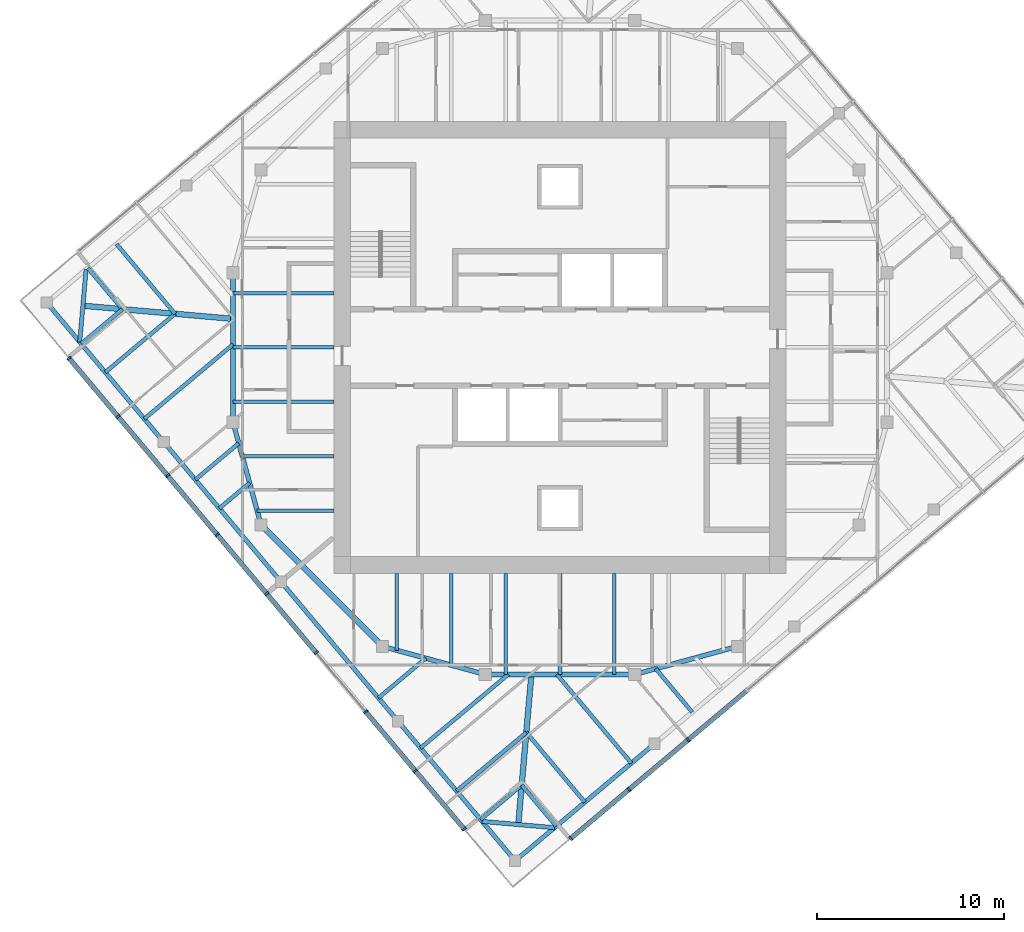
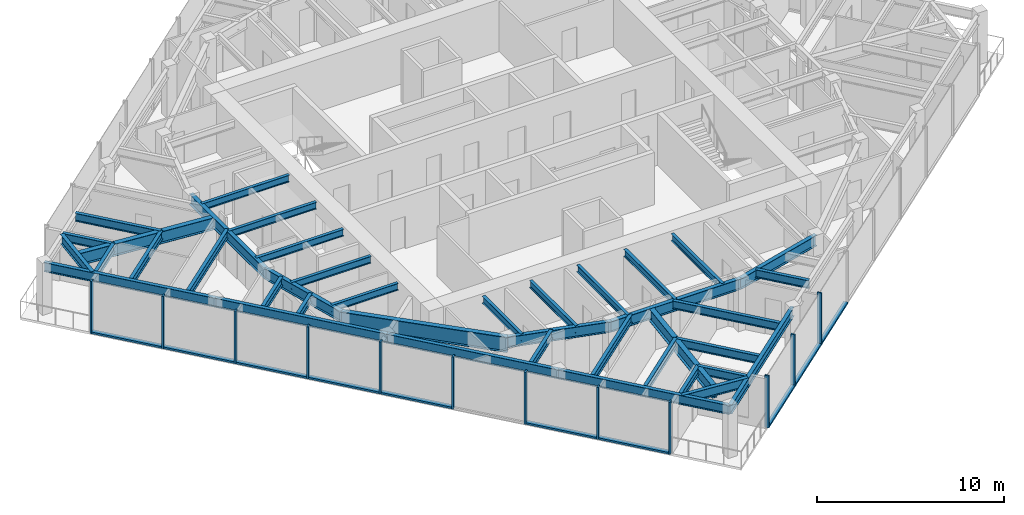
# One storey, part 2 of 12: 40 beams, 22 members, 2 elements without a shape of their own.
"""IFC4 building model written with IfcOpenShell, lengths in metres."""

from ifc_helpers import new_model, si_unit, direction, frame, origin, origin_2d, place, context, subcontext, project, spatial, rectangle, i_section, extrude, material, material_profile, profile_set, type_object, element, aggregate, save


model = new_model("IFC4")

# Units and contexts
model_context = context("Model", 3, precision=1e-05, world=origin(), true_north=direction((0.0, 1.0)))
body_context = subcontext(model_context, "Body", "Model", "MODEL_VIEW")
ifc_project = project(units=[si_unit("LENGTHUNIT", "METRE"), si_unit("AREAUNIT", "SQUARE_METRE"), si_unit("VOLUMEUNIT", "CUBIC_METRE"), si_unit("PLANEANGLEUNIT", "RADIAN"), si_unit("MASSUNIT", "GRAM", prefix="KILO")], contexts=[model_context])

# Site, building, storey
site_placement = place(None, origin())
site = spatial("IfcSite", under=ifc_project, at=site_placement, CompositionType="ELEMENT")
building_placement = place(site_placement, origin())
building = spatial("IfcBuilding", under=site, at=building_placement, Name="Torsade Residences", CompositionType="ELEMENT")
storey_placement = place(building_placement, frame((0.0, 0.0, 279.39990234375)))
storey = spatial("IfcBuildingStorey", under=building, at=storey_placement, Name="L77", CompositionType="ELEMENT", Elevation=279.39990234375)

# Beams
ifc_material_1 = material(Name="Steel grade 300", Category="steel")
ifc_material_profile_1 = material_profile(ifc_material_1, i_section(OverallWidth=0.300048828125, OverallDepth=0.800048828125, WebThickness=0.010009765625, FlangeThickness=0.02001953125, at=origin_2d()), Name="800WB146")
ifc_profile_set_1 = profile_set([ifc_material_profile_1], Name="Steel grade 300")
beam_type_1 = type_object("IfcBeamType", Name="CORNER GIRDER 800WB146", PredefinedType="BEAM", material=ifc_profile_set_1)
for number, where, z_axis, x_axis, name in (
    (1, (37.765869140625, 4.46484375, 2.85009765625), (0.087172957961, 0.996193191806, 0.0), (-0.996193191806, 0.087172957961, 0.0), "Corner girder 01 L78"),
    (2, (14.46484375, 32.234130859375, 2.85009765625), (0.996193191806, -0.087172957961, 0.0), (0.087172957961, 0.996193191806, 0.0), "Corner girder 13 L78"),
):
    element("IfcBeam", number, at=place(storey_placement, frame(where, z_axis=z_axis, x_axis=x_axis)), inside=storey, type_object=beam_type_1, Name=name, PredefinedType="BEAM", context=body_context, shape_type="SweptSolid", body=[
        extrude(i_section(OverallWidth=0.300048828125, OverallDepth=0.800048828125, WebThickness=0.010009765625, FlangeThickness=0.02001953125, at=origin_2d()), origin(), (0.0, 0.0, 1.0), 8.06591796875),
    ])
ifc_material_2 = material(Name="Steel grade 300", Category="steel")
ifc_material_profile_2 = material_profile(ifc_material_2, i_section(OverallWidth=0.22802734375, OverallDepth=0.60205078125, WebThickness=0.010498046875, FlangeThickness=0.014892578125, FilletRadius=0.013916015625, at=origin_2d()), Name="610UB101")
ifc_profile_set_2 = profile_set([ifc_material_profile_2], Name="Steel grade 300")
beam_type_2 = type_object("IfcBeamType", Name="CORNER TRIMMER 610UB101", PredefinedType="BEAM", material=ifc_profile_set_2)
for number, where, z_axis, x_axis, name in (
    (3, (39.703125, 4.29541015625, 2.94921875), (-0.996196646947, 0.087133464362, 0.0), (-0.087133464362, -0.996196646947, 0.0), "Corner trimmer 01 L78"),
    (4, (14.29541015625, 30.296875, 2.94921875), (0.087133464362, 0.996196646947, 0.0), (-0.996196646947, 0.087133464362, 0.0), "Corner trimmer 13 L78"),
):
    element("IfcBeam", number, at=place(storey_placement, frame(where, z_axis=z_axis, x_axis=x_axis)), inside=storey, type_object=beam_type_2, Name=name, PredefinedType="BEAM", context=body_context, shape_type="SweptSolid", body=[
        extrude(i_section(OverallWidth=0.22802734375, OverallDepth=0.60205078125, WebThickness=0.010498046875, FlangeThickness=0.014892578125, FilletRadius=0.013916015625, at=origin_2d()), origin(), (0.0, 0.0, 1.0), 3.88916015625),
    ])
ifc_material_3 = material(Name="Steel grade 300", Category="steel")
ifc_material_profile_3 = material_profile(ifc_material_3, i_section(OverallWidth=0.22802734375, OverallDepth=0.60205078125, WebThickness=0.010498046875, FlangeThickness=0.014892578125, FilletRadius=0.013916015625, at=origin_2d()), Name="610UB101")
ifc_profile_set_3 = profile_set([ifc_material_profile_3], Name="Steel grade 300")
beam_type_3 = type_object("IfcBeamType", Name="EDGE BEAM 610UB101", PredefinedType="SPANDREL", material=ifc_profile_set_3)
for number, where, z_axis, x_axis, name in (
    (5, (37.596435546875, 2.52783203125, 2.94921875), (0.766051532934, 0.642779160279, 0.0), (-0.642779160279, 0.766051532934, 0.0), "Edge beam 01 L78"),
    (6, (12.52783203125, 32.403564453125, 2.94921875), (0.642779160279, -0.766051532934, 0.0), (0.766051532934, 0.642779160279, 0.0), "Edge beam 13 L78"),
    (7, (18.794921875, 24.9345703125, 2.94921875), (0.642779160279, -0.766051532934, 0.0), (0.766051532934, 0.642779160279, 0.0), "Edge beam 14 L78"),
    (8, (25.06201171875, 17.465576171875, 2.94921875), (0.642806184154, -0.766028856906, 0.0), (0.766028856906, 0.642806184154, 0.0), "Edge beam 15 L78"),
    (9, (31.329345703125, 9.996826171875, 2.94921875), (0.642779160279, -0.766051532934, 0.0), (0.766051532934, 0.642779160279, 0.0), "Edge beam 16 L78"),
):
    element("IfcBeam", number, at=place(storey_placement, frame(where, z_axis=z_axis, x_axis=x_axis)), inside=storey, type_object=beam_type_3, Name=name, PredefinedType="SPANDREL", context=body_context, shape_type="SweptSolid", body=[
        extrude(i_section(OverallWidth=0.22802734375, OverallDepth=0.60205078125, WebThickness=0.010498046875, FlangeThickness=0.014892578125, FilletRadius=0.013916015625, at=origin_2d()), origin(), (0.0, 0.0, 1.0), 9.75),
    ])

# Curtain wall, members
ifc_material_4 = material(Name="Aluminium and glass", Category="aluminium")
curtain_wall_type = type_object("IfcCurtainWallType", Name="FRITTED GLASS CURTAIN WALL HIGH ZONE", PredefinedType="NOTDEFINED", material=ifc_material_4)
curtain_wall_1_placement = place(storey_placement, origin())
curtain_wall_1 = element("IfcCurtainWall", 10, at=curtain_wall_1_placement, inside=storey, type_object=curtain_wall_type, Name="Curtain wall L77 face 1", PredefinedType="NOTDEFINED")
ifc_material_5 = material(Name="Aluminium mullion", Category="aluminium")
ifc_material_profile_4 = material_profile(ifc_material_5, rectangle(XDim=0.25, YDim=0.10009765625, at=origin_2d()), Name="HIGH ZONE CURTAIN WALL MULLION 250x100")
ifc_profile_set_4 = profile_set([ifc_material_profile_4], Name="Aluminium mullion")
member_type_1 = type_object("IfcMemberType", Name="HIGH ZONE CURTAIN WALL MULLION 250x100", PredefinedType="MULLION", material=ifc_profile_set_4)
member_1_placement = place(storey_placement, frame((40.57568359375, 3.72216796875, 0.0), z_axis=(0.0, 0.0, 1.0), x_axis=(-0.642787616853, 0.766044437106, 0.0)))
member_1 = element("IfcMember", 11, at=member_1_placement, type_object=member_type_1, Name="Mullion 1", PredefinedType="MULLION", context=body_context, shape_type="SweptSolid", body=[
    extrude(rectangle(XDim=0.25, YDim=0.10009765625, at=origin_2d()), origin(), (0.0, 0.0, 1.0), 3.400146484375),
])
member_2_placement = place(storey_placement, frame((43.697265625, 6.341552734375, 0.0), z_axis=(0.0, 0.0, 1.0), x_axis=(-0.642787616853, 0.766044437106, 0.0)))
member_2 = element("IfcMember", 12, at=member_2_placement, type_object=member_type_1, Name="Mullion 2", PredefinedType="MULLION", context=body_context, shape_type="SweptSolid", body=[
    extrude(rectangle(XDim=0.25, YDim=0.10009765625, at=origin_2d()), origin(), (0.0, 0.0, 1.0), 3.400146484375),
])
member_3_placement = place(storey_placement, frame((46.857177734375, 8.9931640625, 0.0), z_axis=(0.0, 0.0, 1.0), x_axis=(-0.642787616853, 0.766044437106, 0.0)))
member_3 = element("IfcMember", 13, at=member_3_placement, type_object=member_type_1, Name="Mullion 3", PredefinedType="MULLION", context=body_context, shape_type="SweptSolid", body=[
    extrude(rectangle(XDim=0.25, YDim=0.10009765625, at=origin_2d()), origin(), (0.0, 0.0, 1.0), 3.400146484375),
])

curtain_wall_2_placement = place(storey_placement, origin())
curtain_wall_2 = element("IfcCurtainWall", 14, at=curtain_wall_2_placement, inside=storey, type_object=curtain_wall_type, Name="Curtain wall L77 face 10", PredefinedType="NOTDEFINED")
member_4_placement = place(storey_placement, frame((13.72216796875, 29.42431640625, 0.0), z_axis=(0.0, 0.0, 1.0), x_axis=(0.766044437106, 0.642787616853, 0.0)))
member_4 = element("IfcMember", 15, at=member_4_placement, type_object=member_type_1, Name="Mullion 1", PredefinedType="MULLION", context=body_context, shape_type="SweptSolid", body=[
    extrude(rectangle(XDim=0.25, YDim=0.10009765625, at=origin_2d()), origin(), (0.0, 0.0, 1.0), 3.400146484375),
])
member_5_placement = place(storey_placement, frame((16.341552734375, 26.302734375, 0.0), z_axis=(0.0, 0.0, 1.0), x_axis=(0.766044437106, 0.642787616853, 0.0)))
member_5 = element("IfcMember", 16, at=member_5_placement, type_object=member_type_1, Name="Mullion 2", PredefinedType="MULLION", context=body_context, shape_type="SweptSolid", body=[
    extrude(rectangle(XDim=0.25, YDim=0.10009765625, at=origin_2d()), origin(), (0.0, 0.0, 1.0), 3.400146484375),
])
member_6_placement = place(storey_placement, frame((18.9931640625, 23.142822265625, 0.0), z_axis=(0.0, 0.0, 1.0), x_axis=(0.766044437106, 0.642787616853, 0.0)))
member_6 = element("IfcMember", 17, at=member_6_placement, type_object=member_type_1, Name="Mullion 3", PredefinedType="MULLION", context=body_context, shape_type="SweptSolid", body=[
    extrude(rectangle(XDim=0.25, YDim=0.10009765625, at=origin_2d()), origin(), (0.0, 0.0, 1.0), 3.400146484375),
])
member_7_placement = place(storey_placement, frame((21.64453125, 19.982666015625, 0.0), z_axis=(0.0, 0.0, 1.0), x_axis=(0.766044437106, 0.642787616853, 0.0)))
member_7 = element("IfcMember", 18, at=member_7_placement, type_object=member_type_1, Name="Mullion 4", PredefinedType="MULLION", context=body_context, shape_type="SweptSolid", body=[
    extrude(rectangle(XDim=0.25, YDim=0.10009765625, at=origin_2d()), origin(), (0.0, 0.0, 1.0), 3.400146484375),
])
member_8_placement = place(storey_placement, frame((24.296142578125, 16.82275390625, 0.0), z_axis=(0.0, 0.0, 1.0), x_axis=(0.766044437106, 0.642787616853, 0.0)))
member_8 = element("IfcMember", 19, at=member_8_placement, type_object=member_type_1, Name="Mullion 5", PredefinedType="MULLION", context=body_context, shape_type="SweptSolid", body=[
    extrude(rectangle(XDim=0.25, YDim=0.10009765625, at=origin_2d()), origin(), (0.0, 0.0, 1.0), 3.400146484375),
])
member_9_placement = place(storey_placement, frame((26.947509765625, 13.662841796875, 0.0), z_axis=(0.0, 0.0, 1.0), x_axis=(0.766044437106, 0.642787616853, 0.0)))
member_9 = element("IfcMember", 20, at=member_9_placement, type_object=member_type_1, Name="Mullion 6", PredefinedType="MULLION", context=body_context, shape_type="SweptSolid", body=[
    extrude(rectangle(XDim=0.25, YDim=0.10009765625, at=origin_2d()), origin(), (0.0, 0.0, 1.0), 3.400146484375),
])
member_10_placement = place(storey_placement, frame((29.59912109375, 10.5029296875, 0.0), z_axis=(0.0, 0.0, 1.0), x_axis=(0.766044437106, 0.642787616853, 0.0)))
member_10 = element("IfcMember", 21, at=member_10_placement, type_object=member_type_1, Name="Mullion 7", PredefinedType="MULLION", context=body_context, shape_type="SweptSolid", body=[
    extrude(rectangle(XDim=0.25, YDim=0.10009765625, at=origin_2d()), origin(), (0.0, 0.0, 1.0), 3.400146484375),
])
member_11_placement = place(storey_placement, frame((32.25048828125, 7.343017578125, 0.0), z_axis=(0.0, 0.0, 1.0), x_axis=(0.766044437106, 0.642787616853, 0.0)))
member_11 = element("IfcMember", 22, at=member_11_placement, type_object=member_type_1, Name="Mullion 8", PredefinedType="MULLION", context=body_context, shape_type="SweptSolid", body=[
    extrude(rectangle(XDim=0.25, YDim=0.10009765625, at=origin_2d()), origin(), (0.0, 0.0, 1.0), 3.400146484375),
])
member_12_placement = place(storey_placement, frame((34.869873046875, 4.221435546875, 0.0), z_axis=(0.0, 0.0, 1.0), x_axis=(0.766044437106, 0.642787616853, 0.0)))
member_12 = element("IfcMember", 23, at=member_12_placement, type_object=member_type_1, Name="Mullion 9", PredefinedType="MULLION", context=body_context, shape_type="SweptSolid", body=[
    extrude(rectangle(XDim=0.25, YDim=0.10009765625, at=origin_2d()), origin(), (0.0, 0.0, 1.0), 3.400146484375),
])

# Member
ifc_material_6 = material(Name="Aluminium transom", Category="aluminium")
ifc_material_profile_5 = material_profile(ifc_material_6, rectangle(XDim=0.25, YDim=0.1201171875, at=origin_2d()), Name="HIGH ZONE CURTAIN WALL TRANSOM 250x120")
ifc_profile_set_5 = profile_set([ifc_material_profile_5], Name="Aluminium transom")
member_type_2 = type_object("IfcMemberType", Name="HIGH ZONE CURTAIN WALL TRANSOM 250x120", PredefinedType="USERDEFINED", material=ifc_profile_set_5)
member_13_placement = place(storey_placement, frame((40.614013671875, 3.75439453125, 0.06005859375), z_axis=(0.766021778456, 0.642814619413, 0.0), x_axis=(-0.642814619413, 0.766021778456, 0.0)))
member_13 = element("IfcMember", 24, at=member_13_placement, type_object=member_type_2, Name="Transom 1.1", ObjectType="TRANSOM", PredefinedType="USERDEFINED", context=body_context, shape_type="SweptSolid", body=[
    extrude(rectangle(XDim=0.25, YDim=0.1201171875, at=origin_2d()), origin(), (0.0, 0.0, 1.0), 3.97509765625),
])

member_14_placement = place(storey_placement, frame((43.735595703125, 6.373779296875, 0.06005859375), z_axis=(0.766069182322, 0.6427581255, 0.0), x_axis=(-0.6427581255, 0.766069182322, 0.0)))
member_14 = element("IfcMember", 25, at=member_14_placement, type_object=member_type_2, Name="Transom 2.1", ObjectType="TRANSOM", PredefinedType="USERDEFINED", context=body_context, shape_type="SweptSolid", body=[
    extrude(rectangle(XDim=0.25, YDim=0.1201171875, at=origin_2d()), origin(), (0.0, 0.0, 1.0), 4.025146484375),
])

member_15_placement = place(storey_placement, frame((46.8955078125, 9.025146484375, 0.06005859375), z_axis=(0.766039316443, 0.642793719372, 0.0), x_axis=(-0.642793719372, 0.766039316443, 0.0)))
member_15 = element("IfcMember", 26, at=member_15_placement, type_object=member_type_2, Name="Transom 3.1", ObjectType="TRANSOM", PredefinedType="USERDEFINED", context=body_context, shape_type="SweptSolid", body=[
    extrude(rectangle(XDim=0.25, YDim=0.1201171875, at=origin_2d()), origin(), (0.0, 0.0, 1.0), 4.025146484375),
])

aggregate(curtain_wall_1, [member_1, member_2, member_3, member_13, member_14, member_15])

member_16_placement = place(storey_placement, frame((13.75439453125, 29.385986328125, 0.06005859375), z_axis=(0.642814619413, -0.766021778456, 0.0), x_axis=(0.766021778456, 0.642814619413, 0.0)))
member_16 = element("IfcMember", 27, at=member_16_placement, type_object=member_type_2, Name="Transom 1.1", ObjectType="TRANSOM", PredefinedType="USERDEFINED", context=body_context, shape_type="SweptSolid", body=[
    extrude(rectangle(XDim=0.25, YDim=0.1201171875, at=origin_2d()), origin(), (0.0, 0.0, 1.0), 3.97509765625),
])

member_17_placement = place(storey_placement, frame((16.373779296875, 26.264404296875, 0.06005859375), z_axis=(0.6427581255, -0.766069182322, 0.0), x_axis=(0.766069182322, 0.6427581255, 0.0)))
member_17 = element("IfcMember", 28, at=member_17_placement, type_object=member_type_2, Name="Transom 2.1", ObjectType="TRANSOM", PredefinedType="USERDEFINED", context=body_context, shape_type="SweptSolid", body=[
    extrude(rectangle(XDim=0.25, YDim=0.1201171875, at=origin_2d()), origin(), (0.0, 0.0, 1.0), 4.025146484375),
])

member_18_placement = place(storey_placement, frame((19.025146484375, 23.1044921875, 0.06005859375), z_axis=(0.642793719372, -0.766039316443, 0.0), x_axis=(0.766039316443, 0.642793719372, 0.0)))
member_18 = element("IfcMember", 29, at=member_18_placement, type_object=member_type_2, Name="Transom 3.1", ObjectType="TRANSOM", PredefinedType="USERDEFINED", context=body_context, shape_type="SweptSolid", body=[
    extrude(rectangle(XDim=0.25, YDim=0.1201171875, at=origin_2d()), origin(), (0.0, 0.0, 1.0), 4.025146484375),
])

member_19_placement = place(storey_placement, frame((21.6767578125, 19.944580078125, 0.06005859375), z_axis=(0.6427581255, -0.766069182322, 0.0), x_axis=(0.766069182322, 0.6427581255, 0.0)))
member_19 = element("IfcMember", 30, at=member_19_placement, type_object=member_type_2, Name="Transom 4.1", ObjectType="TRANSOM", PredefinedType="USERDEFINED", context=body_context, shape_type="SweptSolid", body=[
    extrude(rectangle(XDim=0.25, YDim=0.1201171875, at=origin_2d()), origin(), (0.0, 0.0, 1.0), 4.025146484375),
])

member_20_placement = place(storey_placement, frame((24.328125, 16.78466796875, 0.06005859375), z_axis=(0.642793719372, -0.766039316443, 0.0), x_axis=(0.766039316443, 0.642793719372, 0.0)))
member_20 = element("IfcMember", 31, at=member_20_placement, type_object=member_type_2, Name="Transom 5.1", ObjectType="TRANSOM", PredefinedType="USERDEFINED", context=body_context, shape_type="SweptSolid", body=[
    extrude(rectangle(XDim=0.25, YDim=0.1201171875, at=origin_2d()), origin(), (0.0, 0.0, 1.0), 4.025146484375),
])

member_21_placement = place(storey_placement, frame((29.63134765625, 10.464599609375, 0.06005859375), z_axis=(0.642787992616, -0.766044121803, 0.0), x_axis=(0.766044121803, 0.642787992616, 0.0)))
member_21 = element("IfcMember", 32, at=member_21_placement, type_object=member_type_2, Name="Transom 7.1", ObjectType="TRANSOM", PredefinedType="USERDEFINED", context=body_context, shape_type="SweptSolid", body=[
    extrude(rectangle(XDim=0.25, YDim=0.1201171875, at=origin_2d()), origin(), (0.0, 0.0, 1.0), 4.02490234375),
])

member_22_placement = place(storey_placement, frame((32.28271484375, 7.3046875, 0.06005859375), z_axis=(0.642814619413, -0.766021778456, 0.0), x_axis=(0.766021778456, 0.642814619413, 0.0)))
member_22 = element("IfcMember", 33, at=member_22_placement, type_object=member_type_2, Name="Transom 8.1", ObjectType="TRANSOM", PredefinedType="USERDEFINED", context=body_context, shape_type="SweptSolid", body=[
    extrude(rectangle(XDim=0.25, YDim=0.1201171875, at=origin_2d()), origin(), (0.0, 0.0, 1.0), 3.97509765625),
])

aggregate(curtain_wall_2, [member_4, member_5, member_6, member_7, member_8, member_9, member_10, member_11, member_12, member_16, member_17, member_18, member_19, member_20, member_21, member_22])

# Beams
ifc_material_7 = material(Name="Steel grade 300", Category="steel")
ifc_material_profile_6 = material_profile(ifc_material_7, i_section(OverallWidth=0.18994140625, OverallDepth=0.4541015625, WebThickness=0.008544921875, FlangeThickness=0.0126953125, FilletRadius=0.011474609375, at=origin_2d()), Name="460UB67.1")
ifc_profile_set_6 = profile_set([ifc_material_profile_6], Name="Steel grade 300")
beam_type_4 = type_object("IfcBeamType", Name="INNER FLOOR BEAM 460UB67.1", PredefinedType="JOIST", material=ifc_profile_set_6)
for number, where, z_axis, x_axis, name in (
    (34, (42.91259765625, 17.89990234375, 3.023193359375), (0.0, -1.0, 0.0), (1.0, 0.0, 0.0), "Inner floor beam IS03 L78"),
    (35, (40.0, 17.89990234375, 3.023193359375), (0.0, -1.0, 0.0), (1.0, 0.0, 0.0), "Inner floor beam IS04 L78"),
    (36, (37.08740234375, 17.89990234375, 3.023193359375), (0.0, -1.0, 0.0), (1.0, 0.0, 0.0), "Inner floor beam IS05 L78"),
):
    element("IfcBeam", number, at=place(storey_placement, frame(where, z_axis=z_axis, x_axis=x_axis)), inside=storey, type_object=beam_type_4, Name=name, PredefinedType="JOIST", context=body_context, shape_type="SweptSolid", body=[
        extrude(i_section(OverallWidth=0.18994140625, OverallDepth=0.4541015625, WebThickness=0.008544921875, FlangeThickness=0.0126953125, FilletRadius=0.011474609375, at=origin_2d()), origin(), (0.0, 0.0, 1.0), 5.39990234375),
    ])
beam_1_placement = place(storey_placement, frame((34.175048828125, 17.89990234375, 3.023193359375), z_axis=(0.0, -1.0, 0.0), x_axis=(1.0, 0.0, 0.0)))
element("IfcBeam", 37, at=beam_1_placement, inside=storey, type_object=beam_type_4, Name="Inner floor beam IS06 L78", PredefinedType="JOIST", context=body_context, shape_type="SweptSolid", body=[
    extrude(i_section(OverallWidth=0.18994140625, OverallDepth=0.4541015625, WebThickness=0.008544921875, FlangeThickness=0.0126953125, FilletRadius=0.011474609375, at=origin_2d()), origin(), (0.0, 0.0, 1.0), 4.902099609375),
])
beam_2_placement = place(storey_placement, frame((31.262451171875, 17.89990234375, 3.023193359375), z_axis=(0.0, -1.0, 0.0), x_axis=(1.0, 0.0, 0.0)))
element("IfcBeam", 38, at=beam_2_placement, inside=storey, type_object=beam_type_4, Name="Inner floor beam IS07 L78", PredefinedType="JOIST", context=body_context, shape_type="SweptSolid", body=[
    extrude(i_section(OverallWidth=0.18994140625, OverallDepth=0.4541015625, WebThickness=0.008544921875, FlangeThickness=0.0126953125, FilletRadius=0.011474609375, at=origin_2d()), origin(), (0.0, 0.0, 1.0), 4.10791015625),
])
for number, where, z_axis, x_axis, name in (
    (39, (27.89990234375, 32.91259765625, 3.023193359375), (-1.0, 0.0, 0.0), (0.0, -1.0, 0.0), "Inner floor beam IW03 L78"),
    (40, (27.89990234375, 30.0, 3.023193359375), (-1.0, 0.0, 0.0), (0.0, -1.0, 0.0), "Inner floor beam IW04 L78"),
    (41, (27.89990234375, 27.08740234375, 3.023193359375), (-1.0, 0.0, 0.0), (0.0, -1.0, 0.0), "Inner floor beam IW05 L78"),
):
    element("IfcBeam", number, at=place(storey_placement, frame(where, z_axis=z_axis, x_axis=x_axis)), inside=storey, type_object=beam_type_4, Name=name, PredefinedType="JOIST", context=body_context, shape_type="SweptSolid", body=[
        extrude(i_section(OverallWidth=0.18994140625, OverallDepth=0.4541015625, WebThickness=0.008544921875, FlangeThickness=0.0126953125, FilletRadius=0.011474609375, at=origin_2d()), origin(), (0.0, 0.0, 1.0), 5.39990234375),
    ])
beam_3_placement = place(storey_placement, frame((27.89990234375, 24.175048828125, 3.023193359375), z_axis=(-1.0, 0.0, 0.0), x_axis=(0.0, -1.0, 0.0)))
element("IfcBeam", 42, at=beam_3_placement, inside=storey, type_object=beam_type_4, Name="Inner floor beam IW06 L78", PredefinedType="JOIST", context=body_context, shape_type="SweptSolid", body=[
    extrude(i_section(OverallWidth=0.18994140625, OverallDepth=0.4541015625, WebThickness=0.008544921875, FlangeThickness=0.0126953125, FilletRadius=0.011474609375, at=origin_2d()), origin(), (0.0, 0.0, 1.0), 4.902099609375),
])
beam_4_placement = place(storey_placement, frame((27.89990234375, 21.262451171875, 3.023193359375), z_axis=(-1.0, 0.0, 0.0), x_axis=(0.0, -1.0, 0.0)))
element("IfcBeam", 43, at=beam_4_placement, inside=storey, type_object=beam_type_4, Name="Inner floor beam IW07 L78", PredefinedType="JOIST", context=body_context, shape_type="SweptSolid", body=[
    extrude(i_section(OverallWidth=0.18994140625, OverallDepth=0.4541015625, WebThickness=0.008544921875, FlangeThickness=0.0126953125, FilletRadius=0.011474609375, at=origin_2d()), origin(), (0.0, 0.0, 1.0), 4.10791015625),
])
ifc_material_8 = material(Name="Steel grade 300", Category="steel")
ifc_material_profile_7 = material_profile(ifc_material_8, i_section(OverallWidth=0.300048828125, OverallDepth=1.0, WebThickness=0.01611328125, FlangeThickness=0.028076171875, at=origin_2d()), Name="1000WB215")
ifc_profile_set_7 = profile_set([ifc_material_profile_7], Name="Steel grade 300")
beam_type_5 = type_object("IfcBeamType", Name="RING CORNER GIRDER 1000WB215", PredefinedType="BEAM", material=ifc_profile_set_7)
beam_5_placement = place(storey_placement, frame((24.0, 20.5, 2.75), z_axis=(0.707106781187, -0.707106781187, 0.0), x_axis=(0.707106781187, 0.707106781187, 0.0)))
element("IfcBeam", 44, at=beam_5_placement, inside=storey, type_object=beam_type_5, Name="Ring girder IR11 L78", PredefinedType="BEAM", context=body_context, shape_type="SweptSolid", body=[
    extrude(i_section(OverallWidth=0.300048828125, OverallDepth=1.0, WebThickness=0.01611328125, FlangeThickness=0.028076171875, at=origin_2d()), origin(), (0.0, 0.0, 1.0), 9.1923828125),
])
ifc_material_9 = material(Name="Steel grade 300", Category="steel")
ifc_material_profile_8 = material_profile(ifc_material_9, i_section(OverallWidth=0.25, OverallDepth=0.699951171875, WebThickness=0.010009765625, FlangeThickness=0.02001953125, at=origin_2d()), Name="700WB130")
ifc_profile_set_8 = profile_set([ifc_material_profile_8], Name="Steel grade 300")
beam_type_6 = type_object("IfcBeamType", Name="RING GIRDER 700WB130", PredefinedType="BEAM", material=ifc_profile_set_8)
beam_6_placement = place(storey_placement, frame((22.5, 34.0, 2.900146484375), z_axis=(0.0, -1.0, 0.0), x_axis=(1.0, 0.0, 0.0)))
element("IfcBeam", 45, at=beam_6_placement, inside=storey, type_object=beam_type_6, Name="Ring girder IR09 L78", PredefinedType="BEAM", context=body_context, shape_type="SweptSolid", body=[
    extrude(i_section(OverallWidth=0.25, OverallDepth=0.699951171875, WebThickness=0.010009765625, FlangeThickness=0.02001953125, at=origin_2d()), origin(), (0.0, 0.0, 1.0), 8.0),
])
for number, where, z_axis, x_axis, name in (
    (46, (22.5, 26.0, 2.900146484375), (0.263117405792, -0.964763821238, 0.0), (0.964763821238, 0.263117405792, 0.0), "Ring girder IR10 L78"),
    (47, (30.5, 14.0, 2.900146484375), (0.964763821238, -0.263117405792, 0.0), (0.263117405792, 0.964763821238, 0.0), "Ring girder IR12 L78"),
):
    element("IfcBeam", number, at=place(storey_placement, frame(where, z_axis=z_axis, x_axis=x_axis)), inside=storey, type_object=beam_type_6, Name=name, PredefinedType="BEAM", context=body_context, shape_type="SweptSolid", body=[
        extrude(i_section(OverallWidth=0.25, OverallDepth=0.699951171875, WebThickness=0.010009765625, FlangeThickness=0.02001953125, at=origin_2d()), origin(), (0.0, 0.0, 1.0), 5.700927734375),
    ])
beam_7_placement = place(storey_placement, frame((36.0, 12.5, 2.900146484375), z_axis=(1.0, 0.0, 0.0), x_axis=(0.0, 1.0, 0.0)))
element("IfcBeam", 48, at=beam_7_placement, inside=storey, type_object=beam_type_6, Name="Ring girder IR13 L78", PredefinedType="BEAM", context=body_context, shape_type="SweptSolid", body=[
    extrude(i_section(OverallWidth=0.25, OverallDepth=0.699951171875, WebThickness=0.010009765625, FlangeThickness=0.02001953125, at=origin_2d()), origin(), (0.0, 0.0, 1.0), 8.0),
])
beam_8_placement = place(storey_placement, frame((44.0, 12.5, 2.900146484375), z_axis=(0.964763821238, 0.263117405792, 0.0), x_axis=(-0.263117405792, 0.964763821238, 0.0)))
element("IfcBeam", 49, at=beam_8_placement, inside=storey, type_object=beam_type_6, Name="Ring girder IR14 L78", PredefinedType="BEAM", context=body_context, shape_type="SweptSolid", body=[
    extrude(i_section(OverallWidth=0.25, OverallDepth=0.699951171875, WebThickness=0.010009765625, FlangeThickness=0.02001953125, at=origin_2d()), origin(), (0.0, 0.0, 1.0), 5.700927734375),
])
ifc_material_10 = material(Name="Steel grade 300", Category="steel")
ifc_material_profile_9 = material_profile(ifc_material_10, i_section(OverallWidth=0.208984375, OverallDepth=0.532958984375, WebThickness=0.01025390625, FlangeThickness=0.015625, FilletRadius=0.013916015625, at=origin_2d()), Name="530UB92.4")
ifc_profile_set_9 = profile_set([ifc_material_profile_9], Name="Steel grade 300")
beam_type_7 = type_object("IfcBeamType", Name="SECONDARY BEAM 530UB92.4", PredefinedType="JOIST", material=ifc_profile_set_9)
beam_9_placement = place(storey_placement, frame((39.798828125, 4.375732421875, 2.983642578125), z_axis=(-0.642761807001, 0.766066093402, 0.0), x_axis=(-0.766066093402, -0.642761807001, 0.0)))
element("IfcBeam", 50, at=beam_9_placement, inside=storey, type_object=beam_type_7, Name="Floor beam FS01 L78", PredefinedType="JOIST", context=body_context, shape_type="SweptSolid", body=[
    extrude(i_section(OverallWidth=0.208984375, OverallDepth=0.532958984375, WebThickness=0.01025390625, FlangeThickness=0.015625, FilletRadius=0.013916015625, at=origin_2d()), origin(), (0.0, 0.0, 1.0), 2.875),
])
beam_10_placement = place(storey_placement, frame((41.3310546875, 5.661376953125, 2.983642578125), z_axis=(-0.642820877376, 0.766016526982, 0.0), x_axis=(-0.766016526982, -0.642820877376, 0.0)))
element("IfcBeam", 51, at=beam_10_placement, inside=storey, type_object=beam_type_7, Name="Floor beam FS02 L78", PredefinedType="JOIST", context=body_context, shape_type="SweptSolid", body=[
    extrude(i_section(OverallWidth=0.208984375, OverallDepth=0.532958984375, WebThickness=0.01025390625, FlangeThickness=0.015625, FilletRadius=0.013916015625, at=origin_2d()), origin(), (0.0, 0.0, 1.0), 4.875),
])
beam_11_placement = place(storey_placement, frame((43.820556640625, 7.75048828125, 2.983642578125), z_axis=(-0.642791209238, 0.766041422722, 0.0), x_axis=(-0.766041422722, -0.642791209238, 0.0)))
element("IfcBeam", 52, at=beam_11_placement, inside=storey, type_object=beam_type_7, Name="Floor beam FS03 L78", PredefinedType="JOIST", context=body_context, shape_type="SweptSolid", body=[
    extrude(i_section(OverallWidth=0.208984375, OverallDepth=0.532958984375, WebThickness=0.01025390625, FlangeThickness=0.015625, FilletRadius=0.013916015625, at=origin_2d()), origin(), (0.0, 0.0, 1.0), 6.199951171875),
])
beam_12_placement = place(storey_placement, frame((47.076171875, 10.482177734375, 2.983642578125), z_axis=(-0.64274480196, 0.766080361029, 0.0), x_axis=(-0.766080361029, -0.64274480196, 0.0)))
element("IfcBeam", 53, at=beam_12_placement, inside=storey, type_object=beam_type_7, Name="Floor beam FS04 L78", PredefinedType="JOIST", context=body_context, shape_type="SweptSolid", body=[
    extrude(i_section(OverallWidth=0.208984375, OverallDepth=0.532958984375, WebThickness=0.01025390625, FlangeThickness=0.015625, FilletRadius=0.013916015625, at=origin_2d()), origin(), (0.0, 0.0, 1.0), 3.03466796875),
])
beam_13_placement = place(storey_placement, frame((16.26220703125, 35.537109375, 2.983642578125), z_axis=(0.642791490223, -0.766041186946, 0.0), x_axis=(0.766041186946, 0.642791490223, 0.0)))
element("IfcBeam", 54, at=beam_13_placement, inside=storey, type_object=beam_type_7, Name="Floor beam FN11 L78", PredefinedType="JOIST", context=body_context, shape_type="SweptSolid", body=[
    extrude(i_section(OverallWidth=0.208984375, OverallDepth=0.532958984375, WebThickness=0.01025390625, FlangeThickness=0.015625, FilletRadius=0.013916015625, at=origin_2d()), origin(), (0.0, 0.0, 1.0), 4.875),
])
for number, where, z_axis, x_axis, name in (
    (55, (14.730224609375, 34.25146484375, 2.983642578125), (0.642761807001, -0.766066093402, 0.0), (0.766066093402, 0.642761807001, 0.0), "Floor beam FN12 L78"),
    (56, (14.375732421875, 30.201171875, 2.983642578125), (0.766066093402, 0.642761807001, 0.0), (-0.642761807001, 0.766066093402, 0.0), "Floor beam FW01 L78"),
):
    element("IfcBeam", number, at=place(storey_placement, frame(where, z_axis=z_axis, x_axis=x_axis)), inside=storey, type_object=beam_type_7, Name=name, PredefinedType="JOIST", context=body_context, shape_type="SweptSolid", body=[
        extrude(i_section(OverallWidth=0.208984375, OverallDepth=0.532958984375, WebThickness=0.01025390625, FlangeThickness=0.015625, FilletRadius=0.013916015625, at=origin_2d()), origin(), (0.0, 0.0, 1.0), 2.875),
    ])
beam_14_placement = place(storey_placement, frame((15.661376953125, 28.6689453125, 2.983642578125), z_axis=(0.766016526982, 0.642820877376, 0.0), x_axis=(-0.642820877376, 0.766016526982, 0.0)))
element("IfcBeam", 57, at=beam_14_placement, inside=storey, type_object=beam_type_7, Name="Floor beam FW02 L78", PredefinedType="JOIST", context=body_context, shape_type="SweptSolid", body=[
    extrude(i_section(OverallWidth=0.208984375, OverallDepth=0.532958984375, WebThickness=0.01025390625, FlangeThickness=0.015625, FilletRadius=0.013916015625, at=origin_2d()), origin(), (0.0, 0.0, 1.0), 4.875),
])
beam_15_placement = place(storey_placement, frame((17.75048828125, 26.179443359375, 2.983642578125), z_axis=(0.766041422722, 0.642791209238, 0.0), x_axis=(-0.642791209238, 0.766041422722, 0.0)))
element("IfcBeam", 58, at=beam_15_placement, inside=storey, type_object=beam_type_7, Name="Floor beam FW03 L78", PredefinedType="JOIST", context=body_context, shape_type="SweptSolid", body=[
    extrude(i_section(OverallWidth=0.208984375, OverallDepth=0.532958984375, WebThickness=0.01025390625, FlangeThickness=0.015625, FilletRadius=0.013916015625, at=origin_2d()), origin(), (0.0, 0.0, 1.0), 6.199951171875),
])
beam_16_placement = place(storey_placement, frame((20.482177734375, 22.923828125, 2.983642578125), z_axis=(0.766080361029, 0.64274480196, 0.0), x_axis=(-0.64274480196, 0.766080361029, 0.0)))
element("IfcBeam", 59, at=beam_16_placement, inside=storey, type_object=beam_type_7, Name="Floor beam FW04 L78", PredefinedType="JOIST", context=body_context, shape_type="SweptSolid", body=[
    extrude(i_section(OverallWidth=0.208984375, OverallDepth=0.532958984375, WebThickness=0.01025390625, FlangeThickness=0.015625, FilletRadius=0.013916015625, at=origin_2d()), origin(), (0.0, 0.0, 1.0), 3.03466796875),
])
beam_17_placement = place(storey_placement, frame((21.767822265625, 21.3916015625, 2.983642578125), z_axis=(0.766057560226, 0.642771977004, 0.0), x_axis=(-0.642771977004, 0.766057560226, 0.0)))
element("IfcBeam", 60, at=beam_17_placement, inside=storey, type_object=beam_type_7, Name="Floor beam FW05 L78", PredefinedType="JOIST", context=body_context, shape_type="SweptSolid", body=[
    extrude(i_section(OverallWidth=0.208984375, OverallDepth=0.532958984375, WebThickness=0.01025390625, FlangeThickness=0.015625, FilletRadius=0.013916015625, at=origin_2d()), origin(), (0.0, 0.0, 1.0), 2.113037109375),
])
beam_18_placement = place(storey_placement, frame((30.28466796875, 11.241455078125, 2.983642578125), z_axis=(0.766044990879, 0.642786956891, 0.0), x_axis=(-0.642786956891, 0.766044990879, 0.0)))
element("IfcBeam", 61, at=beam_18_placement, inside=storey, type_object=beam_type_7, Name="Floor beam FW09 L78", PredefinedType="JOIST", context=body_context, shape_type="SweptSolid", body=[
    extrude(i_section(OverallWidth=0.208984375, OverallDepth=0.532958984375, WebThickness=0.01025390625, FlangeThickness=0.015625, FilletRadius=0.013916015625, at=origin_2d()), origin(), (0.0, 0.0, 1.0), 3.307861328125),
])
beam_19_placement = place(storey_placement, frame((32.534423828125, 8.560302734375, 2.983642578125), z_axis=(0.766039049329, 0.642794037701, 0.0), x_axis=(-0.642794037701, 0.766039049329, 0.0)))
element("IfcBeam", 62, at=beam_19_placement, inside=storey, type_object=beam_type_7, Name="Floor beam FW10 L78", PredefinedType="JOIST", context=body_context, shape_type="SweptSolid", body=[
    extrude(i_section(OverallWidth=0.208984375, OverallDepth=0.532958984375, WebThickness=0.01025390625, FlangeThickness=0.015625, FilletRadius=0.013916015625, at=origin_2d()), origin(), (0.0, 0.0, 1.0), 6.12890625),
])
beam_20_placement = place(storey_placement, frame((34.462890625, 6.26220703125, 2.983642578125), z_axis=(0.766041186946, 0.642791490223, 0.0), x_axis=(-0.642791490223, 0.766041186946, 0.0)))
element("IfcBeam", 63, at=beam_20_placement, inside=storey, type_object=beam_type_7, Name="Floor beam FW11 L78", PredefinedType="JOIST", context=body_context, shape_type="SweptSolid", body=[
    extrude(i_section(OverallWidth=0.208984375, OverallDepth=0.532958984375, WebThickness=0.01025390625, FlangeThickness=0.015625, FilletRadius=0.013916015625, at=origin_2d()), origin(), (0.0, 0.0, 1.0), 4.875),
])
beam_21_placement = place(storey_placement, frame((35.74853515625, 4.730224609375, 2.983642578125), z_axis=(0.766066093402, 0.642761807001, 0.0), x_axis=(-0.642761807001, 0.766066093402, 0.0)))
element("IfcBeam", 64, at=beam_21_placement, inside=storey, type_object=beam_type_7, Name="Floor beam FW12 L78", PredefinedType="JOIST", context=body_context, shape_type="SweptSolid", body=[
    extrude(i_section(OverallWidth=0.208984375, OverallDepth=0.532958984375, WebThickness=0.01025390625, FlangeThickness=0.015625, FilletRadius=0.013916015625, at=origin_2d()), origin(), (0.0, 0.0, 1.0), 2.875),
])

save(model, "model.ifc")
